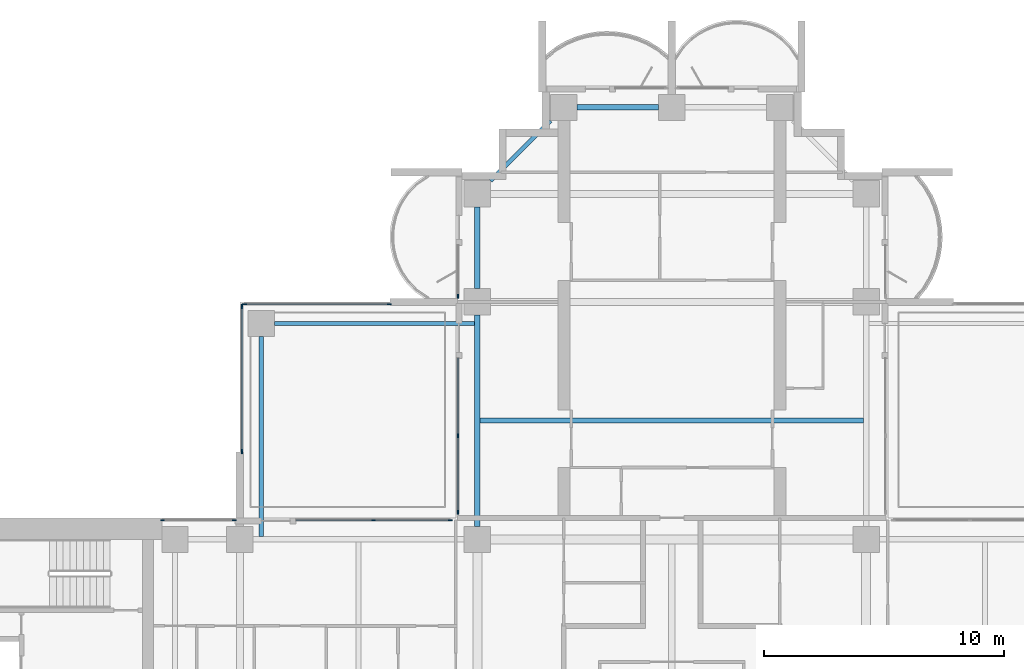
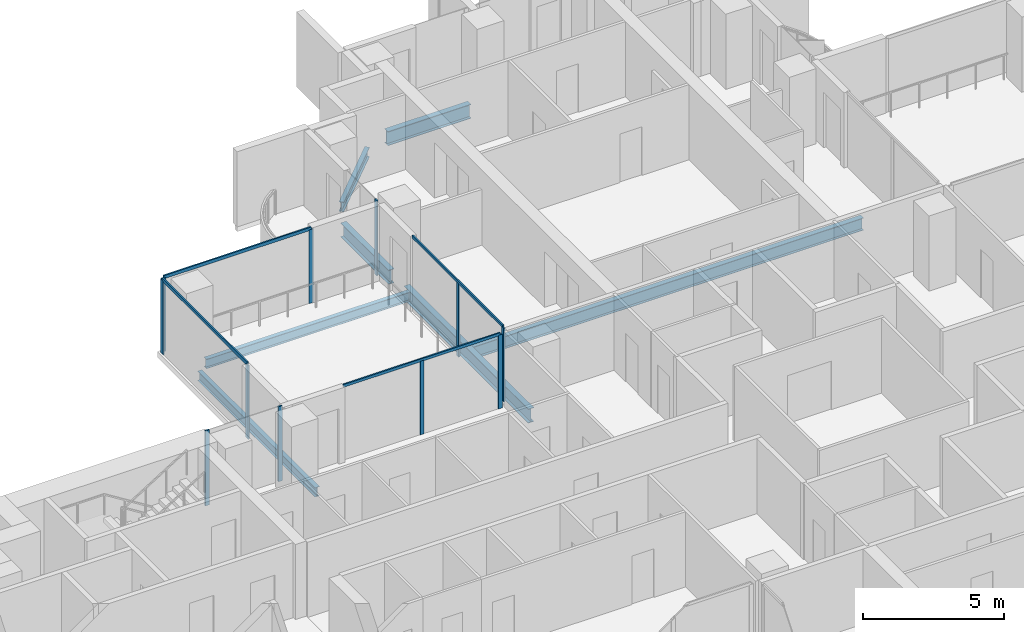
# One storey, part 5 of 18: 15 members, 7 beams, 6 elements without a shape of their own.
"""IFC4 building model written with IfcOpenShell, lengths in metres."""

from ifc_helpers import new_model, si_unit, direction, frame, origin, origin_2d, place, context, subcontext, project, spatial, rectangle, i_section, extrude, material, material_profile, profile_set, type_object, element, aggregate, save


model = new_model("IFC4")

# Units and contexts
model_context = context("Model", 3, precision=1e-05, world=origin(), true_north=direction((0.0, 1.0)))
body_context = subcontext(model_context, "Body", "Model", "MODEL_VIEW")
ifc_project = project(units=[si_unit("LENGTHUNIT", "METRE"), si_unit("AREAUNIT", "SQUARE_METRE"), si_unit("VOLUMEUNIT", "CUBIC_METRE"), si_unit("PLANEANGLEUNIT", "RADIAN"), si_unit("MASSUNIT", "GRAM", prefix="KILO")], contexts=[model_context])

# Site, building, storey
site_placement = place(None, origin())
site = spatial("IfcSite", under=ifc_project, at=site_placement, CompositionType="ELEMENT")
building_placement = place(site_placement, origin())
building = spatial("IfcBuilding", under=site, at=building_placement, Name="Perihelion Cross Residences", CompositionType="ELEMENT")
storey_placement = place(building_placement, frame((0.0, 0.0, 133.89990234375)))
storey = spatial("IfcBuildingStorey", under=building, at=storey_placement, Name="L32", CompositionType="ELEMENT", Elevation=133.89990234375)

# Curtain wall, member
ifc_material_1 = material(Name="Bronze anodised aluminium, tinted glazing", Category="aluminium")
curtain_wall_type_1 = type_object("IfcCurtainWallType", Name="CW1", PredefinedType="NOTDEFINED", material=ifc_material_1)
curtain_wall_1_placement = place(storey_placement, origin())
curtain_wall_1 = element("IfcCurtainWall", 1, at=curtain_wall_1_placement, inside=storey, type_object=curtain_wall_type_1, Name="Curtain wall CW1 L32 north side west bay 1", PredefinedType="NOTDEFINED")
ifc_material_2 = material(Name="Bronze anodised aluminium", Category="aluminium")
ifc_material_profile_1 = material_profile(ifc_material_2, rectangle(XDim=0.06005859375, YDim=0.159912109375, at=origin_2d()), Name="CW1 mullion")
ifc_profile_set_1 = profile_set([ifc_material_profile_1], Name="Bronze anodised aluminium")
member_type_1 = type_object("IfcMemberType", Name="CW1 mullion", PredefinedType="MULLION", material=ifc_profile_set_1)
member_1_placement = place(storey_placement, frame((-8.89990234375, 18.22998046875, 0.0), z_axis=(0.0, 0.0, 1.0), x_axis=(1.0, 0.0, 0.0)))
member_1 = element("IfcMember", 2, at=member_1_placement, type_object=member_type_1, Name="CW1 mullion 2", PredefinedType="MULLION", context=body_context, shape_type="SweptSolid", body=[
    extrude(rectangle(XDim=0.06005859375, YDim=0.159912109375, at=origin_2d()), origin(), (0.0, 0.0, 1.0), 3.25),
])
aggregate(curtain_wall_1, [member_1])

# Curtain wall, members
curtain_wall_2_placement = place(storey_placement, origin())
curtain_wall_2 = element("IfcCurtainWall", 3, at=curtain_wall_2_placement, inside=storey, type_object=curtain_wall_type_1, Name="Curtain wall CW1 L32 north side west bay 2", PredefinedType="NOTDEFINED")
member_2_placement = place(storey_placement, frame((-8.89990234375, 12.425048828125, 0.0), z_axis=(0.0, 0.0, 1.0), x_axis=(1.0, 0.0, 0.0)))
member_2 = element("IfcMember", 4, at=member_2_placement, type_object=member_type_1, Name="CW1 mullion 2", PredefinedType="MULLION", context=body_context, shape_type="SweptSolid", body=[
    extrude(rectangle(XDim=0.06005859375, YDim=0.159912109375, at=origin_2d()), origin(), (0.0, 0.0, 1.0), 3.190185546875),
])
member_3_placement = place(storey_placement, frame((-8.89990234375, 9.22998046875, 0.0), z_axis=(0.0, 0.0, 1.0), x_axis=(1.0, 0.0, 0.0)))
member_3 = element("IfcMember", 5, at=member_3_placement, type_object=member_type_1, Name="CW1 mullion 3", PredefinedType="MULLION", context=body_context, shape_type="SweptSolid", body=[
    extrude(rectangle(XDim=0.06005859375, YDim=0.159912109375, at=origin_2d()), origin(), (0.0, 0.0, 1.0), 3.190185546875),
])

curtain_wall_3_placement = place(storey_placement, origin())
curtain_wall_3 = element("IfcCurtainWall", 6, at=curtain_wall_3_placement, inside=storey, type_object=curtain_wall_type_1, Name="Curtain wall CW1 L32 west side north bay 1", PredefinedType="NOTDEFINED")
member_4_placement = place(storey_placement, frame((-9.22998046875, 8.89990234375, 0.0), z_axis=(0.0, 0.0, 1.0), x_axis=(0.0, -1.0, 0.0)))
member_4 = element("IfcMember", 7, at=member_4_placement, type_object=member_type_1, Name="CW1 mullion 1", PredefinedType="MULLION", context=body_context, shape_type="SweptSolid", body=[
    extrude(rectangle(XDim=0.06005859375, YDim=0.159912109375, at=origin_2d()), origin(), (0.0, 0.0, 1.0), 3.190185546875),
])
member_5_placement = place(storey_placement, frame((-12.425048828125, 8.89990234375, 0.0), z_axis=(0.0, 0.0, 1.0), x_axis=(0.0, -1.0, 0.0)))
member_5 = element("IfcMember", 8, at=member_5_placement, type_object=member_type_1, Name="CW1 mullion 2", PredefinedType="MULLION", context=body_context, shape_type="SweptSolid", body=[
    extrude(rectangle(XDim=0.06005859375, YDim=0.159912109375, at=origin_2d()), origin(), (0.0, 0.0, 1.0), 3.190185546875),
])

curtain_wall_4_placement = place(storey_placement, origin())
curtain_wall_4 = element("IfcCurtainWall", 9, at=curtain_wall_4_placement, inside=storey, type_object=curtain_wall_type_1, Name="Curtain wall CW1 L32 west side north bay 2", PredefinedType="NOTDEFINED")
member_6_placement = place(storey_placement, frame((-18.22998046875, 8.89990234375, 0.0), z_axis=(0.0, 0.0, 1.0), x_axis=(0.0, -1.0, 0.0)))
member_6 = element("IfcMember", 10, at=member_6_placement, type_object=member_type_1, Name="CW1 mullion 1", PredefinedType="MULLION", context=body_context, shape_type="SweptSolid", body=[
    extrude(rectangle(XDim=0.06005859375, YDim=0.159912109375, at=origin_2d()), origin(), (0.0, 0.0, 1.0), 3.25),
])
member_7_placement = place(storey_placement, frame((-21.219970703125, 8.89990234375, 0.0), z_axis=(0.0, 0.0, 1.0), x_axis=(0.0, -1.0, 0.0)))
member_7 = element("IfcMember", 11, at=member_7_placement, type_object=member_type_1, Name="CW1 mullion 2", PredefinedType="MULLION", context=body_context, shape_type="SweptSolid", body=[
    extrude(rectangle(XDim=0.06005859375, YDim=0.159912109375, at=origin_2d()), origin(), (0.0, 0.0, 1.0), 3.25),
])
aggregate(curtain_wall_4, [member_6, member_7])

# Member
ifc_material_3 = material(Name="Bronze anodised aluminium", Category="aluminium")
ifc_material_profile_2 = material_profile(ifc_material_3, rectangle(XDim=0.06005859375, YDim=0.1201171875, at=origin_2d()), Name="CW1 transom")
ifc_profile_set_2 = profile_set([ifc_material_profile_2], Name="Bronze anodised aluminium")
member_type_2 = type_object("IfcMemberType", Name="CW1 transom", PredefinedType="USERDEFINED", material=ifc_profile_set_2)
member_8_placement = place(storey_placement, frame((-8.89990234375, 15.64990234375, 3.22021484375), z_axis=(0.0, -1.0, 0.0), x_axis=(1.0, 0.0, 0.0)))
member_8 = element("IfcMember", 12, at=member_8_placement, type_object=member_type_2, Name="CW1 head transom", ObjectType="TRANSOM", PredefinedType="USERDEFINED", context=body_context, shape_type="SweptSolid", body=[
    extrude(rectangle(XDim=0.06005859375, YDim=0.1201171875, at=origin_2d()), origin(), (0.0, 0.0, 1.0), 6.419921875),
])

aggregate(curtain_wall_2, [member_2, member_3, member_8])

member_9_placement = place(storey_placement, frame((-9.22998046875, 8.89990234375, 3.22021484375), z_axis=(-1.0, 0.0, 0.0), x_axis=(0.0, -1.0, 0.0)))
member_9 = element("IfcMember", 13, at=member_9_placement, type_object=member_type_2, Name="CW1 head transom", ObjectType="TRANSOM", PredefinedType="USERDEFINED", context=body_context, shape_type="SweptSolid", body=[
    extrude(rectangle(XDim=0.06005859375, YDim=0.1201171875, at=origin_2d()), origin(), (0.0, 0.0, 1.0), 6.419921875),
])

aggregate(curtain_wall_3, [member_4, member_5, member_9])

# Curtain wall, members
ifc_material_4 = material(Name="Bronze anodised aluminium, tinted glazing", Category="aluminium")
curtain_wall_type_2 = type_object("IfcCurtainWallType", Name="CW4", PredefinedType="NOTDEFINED", material=ifc_material_4)
curtain_wall_5_placement = place(storey_placement, origin())
curtain_wall_5 = element("IfcCurtainWall", 14, at=curtain_wall_5_placement, inside=storey, type_object=curtain_wall_type_2, Name="Curtain wall CW4 L32 pocket north-west 1 1", PredefinedType="NOTDEFINED")
ifc_material_5 = material(Name="Bronze anodised aluminium", Category="aluminium")
ifc_material_profile_3 = material_profile(ifc_material_5, rectangle(XDim=0.06005859375, YDim=0.179931640625, at=origin_2d()), Name="CW4 mullion")
ifc_profile_set_3 = profile_set([ifc_material_profile_3], Name="Bronze anodised aluminium")
member_type_3 = type_object("IfcMemberType", Name="CW4 mullion", PredefinedType="MULLION", material=ifc_profile_set_3)
member_10_placement = place(storey_placement, frame((-17.89990234375, 11.77001953125, 0.0), z_axis=(0.0, 0.0, 1.0), x_axis=(-1.0, 0.0, 0.0)))
member_10 = element("IfcMember", 15, at=member_10_placement, type_object=member_type_3, Name="CW4 mullion 1", PredefinedType="MULLION", context=body_context, shape_type="SweptSolid", body=[
    extrude(rectangle(XDim=0.06005859375, YDim=0.179931640625, at=origin_2d()), origin(), (0.0, 0.0, 1.0), 3.190185546875),
])
member_11_placement = place(storey_placement, frame((-17.89990234375, 17.800048828125, 0.0), z_axis=(0.0, 0.0, 1.0), x_axis=(-1.0, 0.0, 0.0)))
member_11 = element("IfcMember", 16, at=member_11_placement, type_object=member_type_3, Name="CW4 mullion 2", PredefinedType="MULLION", context=body_context, shape_type="SweptSolid", body=[
    extrude(rectangle(XDim=0.06005859375, YDim=0.179931640625, at=origin_2d()), origin(), (0.0, 0.0, 1.0), 3.190185546875),
])

curtain_wall_6_placement = place(storey_placement, origin())
curtain_wall_6 = element("IfcCurtainWall", 17, at=curtain_wall_6_placement, inside=storey, type_object=curtain_wall_type_2, Name="Curtain wall CW4 L32 pocket north-west 1 2", PredefinedType="NOTDEFINED")
member_12_placement = place(storey_placement, frame((-17.800048828125, 17.89990234375, 0.0), z_axis=(0.0, 0.0, 1.0), x_axis=(0.0, 1.0, 0.0)))
member_12 = element("IfcMember", 18, at=member_12_placement, type_object=member_type_3, Name="CW4 mullion 1", PredefinedType="MULLION", context=body_context, shape_type="SweptSolid", body=[
    extrude(rectangle(XDim=0.06005859375, YDim=0.179931640625, at=origin_2d()), origin(), (0.0, 0.0, 1.0), 3.190185546875),
])
member_13_placement = place(storey_placement, frame((-11.77001953125, 17.89990234375, 0.0), z_axis=(0.0, 0.0, 1.0), x_axis=(0.0, 1.0, 0.0)))
member_13 = element("IfcMember", 19, at=member_13_placement, type_object=member_type_3, Name="CW4 mullion 2", PredefinedType="MULLION", context=body_context, shape_type="SweptSolid", body=[
    extrude(rectangle(XDim=0.06005859375, YDim=0.179931640625, at=origin_2d()), origin(), (0.0, 0.0, 1.0), 3.190185546875),
])

# Member
ifc_material_6 = material(Name="Bronze anodised aluminium", Category="aluminium")
ifc_material_profile_4 = material_profile(ifc_material_6, rectangle(XDim=0.06005859375, YDim=0.139892578125, at=origin_2d()), Name="CW4 transom")
ifc_profile_set_4 = profile_set([ifc_material_profile_4], Name="Bronze anodised aluminium")
member_type_4 = type_object("IfcMemberType", Name="CW4 transom", PredefinedType="USERDEFINED", material=ifc_profile_set_4)
member_14_placement = place(storey_placement, frame((-17.89990234375, 11.77001953125, 3.22021484375), z_axis=(0.0, 1.0, 0.0), x_axis=(-1.0, 0.0, 0.0)))
member_14 = element("IfcMember", 20, at=member_14_placement, type_object=member_type_4, Name="CW4 head transom", ObjectType="TRANSOM", PredefinedType="USERDEFINED", context=body_context, shape_type="SweptSolid", body=[
    extrude(rectangle(XDim=0.06005859375, YDim=0.139892578125, at=origin_2d()), origin(), (0.0, 0.0, 1.0), 6.030029296875),
])

aggregate(curtain_wall_5, [member_10, member_11, member_14])

member_15_placement = place(storey_placement, frame((-17.800048828125, 17.89990234375, 3.22021484375), z_axis=(1.0, 0.0, 0.0), x_axis=(0.0, 1.0, 0.0)))
member_15 = element("IfcMember", 21, at=member_15_placement, type_object=member_type_4, Name="CW4 head transom", ObjectType="TRANSOM", PredefinedType="USERDEFINED", context=body_context, shape_type="SweptSolid", body=[
    extrude(rectangle(XDim=0.06005859375, YDim=0.139892578125, at=origin_2d()), origin(), (0.0, 0.0, 1.0), 6.030029296875),
])

aggregate(curtain_wall_6, [member_12, member_13, member_15])

# Beams
ifc_material_7 = material(Name="Steel S355", Category="steel")
ifc_material_profile_5 = material_profile(ifc_material_7, i_section(OverallWidth=0.177978515625, OverallDepth=0.406005859375, WebThickness=0.0078125, FlangeThickness=0.0126953125, at=origin_2d()), Name="W410x60")
ifc_profile_set_5 = profile_set([ifc_material_profile_5], Name="Steel S355")
beam_type_1 = type_object("IfcBeamType", Name="Core edge beam W410x60", PredefinedType="BEAM", material=ifc_profile_set_5)
for number, where, z_axis, x_axis, name in (
    (22, (-17.10009765625, 8.214599609375, -0.452880859375), (0.0, 1.0, 0.0), (-1.0, 0.0, 0.0), "Core edge beam TB2 L32 corner no. 3"),
    (23, (-8.214599609375, 17.10009765625, -0.452880859375), (-1.0, 0.0, 0.0), (0.0, -1.0, 0.0), "Core edge beam TB2 L32 corner no. 4"),
):
    element("IfcBeam", number, at=place(storey_placement, frame(where, z_axis=z_axis, x_axis=x_axis)), inside=storey, type_object=beam_type_1, Name=name, PredefinedType="BEAM", context=body_context, shape_type="SweptSolid", body=[
        extrude(i_section(OverallWidth=0.177978515625, OverallDepth=0.406005859375, WebThickness=0.0078125, FlangeThickness=0.0126953125, at=origin_2d()), origin(), (0.0, 0.0, 1.0), 8.33544921875),
    ])
ifc_material_8 = material(Name="Steel S355", Category="steel")
ifc_material_profile_6 = material_profile(ifc_material_8, i_section(OverallWidth=0.22900390625, OverallDepth=0.612060546875, WebThickness=0.011962890625, FlangeThickness=0.01953125, at=origin_2d()), Name="W610x125")
ifc_profile_set_6 = profile_set([ifc_material_profile_6], Name="Steel S355")
beam_type_2 = type_object("IfcBeamType", Name="Edge beam W610x125", PredefinedType="SPANDREL", material=ifc_profile_set_6)
for number, where, z_axis, x_axis, name in (
    (24, (-0.550048828125, 26.10009765625, -0.555908203125), (-1.0, 0.0, 0.0), (0.0, -1.0, 0.0), "Edge beam SB3 L32 no. 10"),
    (25, (-8.10009765625, 21.949951171875, -0.555908203125), (0.0, -1.0, 0.0), (1.0, 0.0, 0.0), "Edge beam SB3 L32 no. 7"),
):
    element("IfcBeam", number, at=place(storey_placement, frame(where, z_axis=z_axis, x_axis=x_axis)), inside=storey, type_object=beam_type_2, Name=name, PredefinedType="SPANDREL", context=body_context, shape_type="SweptSolid", body=[
        extrude(i_section(OverallWidth=0.22900390625, OverallDepth=0.612060546875, WebThickness=0.011962890625, FlangeThickness=0.01953125, at=origin_2d()), origin(), (0.0, 0.0, 1.0), 3.39990234375),
    ])
beam_1_placement = place(storey_placement, frame((-8.10009765625, 17.449951171875, -0.555908203125), z_axis=(0.0, -1.0, 0.0), x_axis=(1.0, 0.0, 0.0)))
element("IfcBeam", 26, at=beam_1_placement, inside=storey, type_object=beam_type_2, Name="Edge beam SB3 L32 no. 6", PredefinedType="SPANDREL", context=body_context, shape_type="SweptSolid", body=[
    extrude(i_section(OverallWidth=0.22900390625, OverallDepth=0.612060546875, WebThickness=0.011962890625, FlangeThickness=0.01953125, at=origin_2d()), origin(), (0.0, 0.0, 1.0), 8.800048828125),
])
ifc_material_9 = material(Name="Steel S355", Category="steel")
ifc_material_profile_7 = material_profile(ifc_material_9, i_section(OverallWidth=0.208984375, OverallDepth=0.532958984375, WebThickness=0.01025390625, FlangeThickness=0.015625, at=origin_2d()), Name="W530x92")
ifc_profile_set_7 = profile_set([ifc_material_profile_7], Name="Steel S355")
beam_type_3 = type_object("IfcBeamType", Name="Floor joist W530x92", PredefinedType="JOIST", material=ifc_profile_set_7)
beam_2_placement = place(storey_placement, frame((-7.985595703125, 13.050048828125, -0.516357421875), z_axis=(1.0, 0.0, 0.0), x_axis=(0.0, 1.0, 0.0)))
element("IfcBeam", 27, at=beam_2_placement, inside=storey, type_object=beam_type_3, Name="Joist J4 L32 no. 4", PredefinedType="JOIST", context=body_context, shape_type="SweptSolid", body=[
    extrude(i_section(OverallWidth=0.208984375, OverallDepth=0.532958984375, WebThickness=0.01025390625, FlangeThickness=0.015625, at=origin_2d()), origin(), (0.0, 0.0, 1.0), 15.97119140625),
])
ifc_material_10 = material(Name="Steel S355", Category="steel")
ifc_material_profile_8 = material_profile(ifc_material_10, i_section(OverallWidth=0.180908203125, OverallDepth=0.4169921875, WebThickness=0.010986328125, FlangeThickness=0.018310546875, at=origin_2d()), Name="W410x85")
ifc_profile_set_8 = profile_set([ifc_material_profile_8], Name="Steel S355")
beam_type_4 = type_object("IfcBeamType", Name="Serration edge beam W410x85", PredefinedType="BEAM", material=ifc_profile_set_8)
beam_3_placement = place(storey_placement, frame((-5.050048828125, 25.550048828125, -0.45849609375), z_axis=(-0.707106781187, -0.707106781187, 0.0), x_axis=(0.707106781187, -0.707106781187, 0.0)))
element("IfcBeam", 28, at=beam_3_placement, inside=storey, type_object=beam_type_4, Name="Serration edge beam EB3 L32 no. 1", PredefinedType="BEAM", context=body_context, shape_type="SweptSolid", body=[
    extrude(i_section(OverallWidth=0.180908203125, OverallDepth=0.4169921875, WebThickness=0.010986328125, FlangeThickness=0.018310546875, at=origin_2d()), origin(), (0.0, 0.0, 1.0), 3.53564453125),
])

save(model, "model.ifc")
